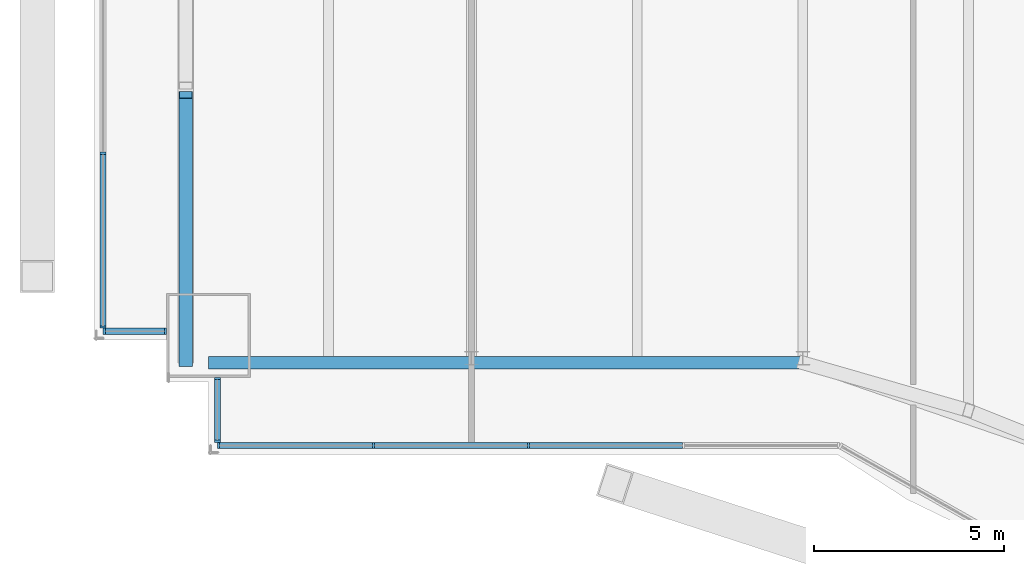
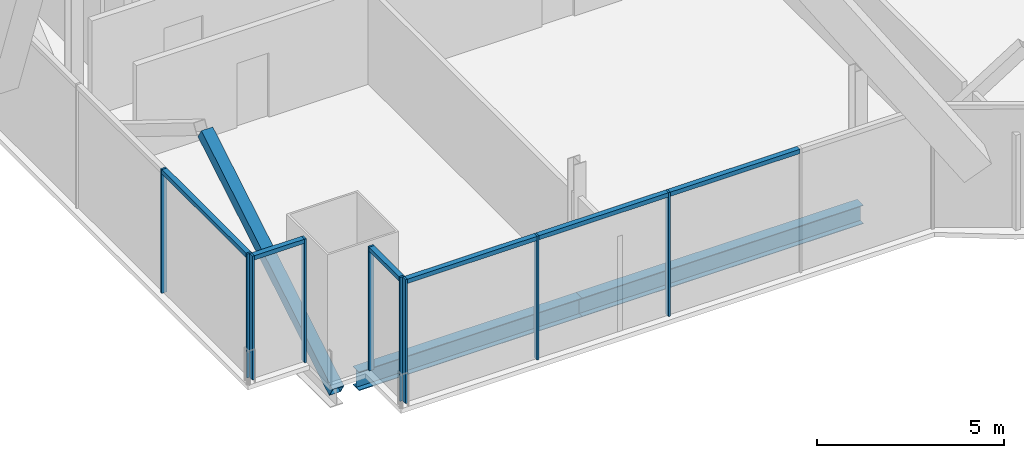
# One storey, part 5 of 23: 16 members, 2 beams, 4 elements without a shape of their own.
"""IFC4 building model written with IfcOpenShell, lengths in metres."""

from ifc_helpers import new_model, si_unit, direction, frame, origin, origin_2d, place, context, subcontext, project, spatial, rectangle, hollow_rectangle, i_section, extrude, material, material_profile, profile_set, type_object, element, aggregate, save


model = new_model("IFC4")

# Units and contexts
model_context = context("Model", 3, precision=1e-05, world=origin(), true_north=direction((0.0, 1.0)))
body_context = subcontext(model_context, "Body", "Model", "MODEL_VIEW")
ifc_project = project(units=[si_unit("LENGTHUNIT", "METRE"), si_unit("AREAUNIT", "SQUARE_METRE"), si_unit("VOLUMEUNIT", "CUBIC_METRE"), si_unit("PLANEANGLEUNIT", "RADIAN"), si_unit("MASSUNIT", "GRAM", prefix="KILO")], contexts=[model_context])

# Site, building, storey
site_placement = place(None, origin())
site = spatial("IfcSite", under=ifc_project, at=site_placement, CompositionType="ELEMENT")
building_placement = place(site_placement, origin())
building = spatial("IfcBuilding", under=site, at=building_placement, Name="Bicima Exchange Tower", CompositionType="ELEMENT")
storey_placement = place(building_placement, frame((0.0, 0.0, 262.39990234375)))
storey = spatial("IfcBuildingStorey", under=building, at=storey_placement, Name="L59", CompositionType="ELEMENT", Elevation=262.39990234375)

# Curtain wall, members
ifc_material_1 = material(Name="Anodised bronze aluminium", Category="aluminium")
curtain_wall_type_1 = type_object("IfcCurtainWallType", Name="End face glass wall", PredefinedType="NOTDEFINED", material=ifc_material_1)
curtain_wall_1_placement = place(storey_placement, origin())
curtain_wall_1 = element("IfcCurtainWall", 1, at=curtain_wall_1_placement, inside=storey, type_object=curtain_wall_type_1, Name="End face glass wall L59 run 2", PredefinedType="NOTDEFINED")
ifc_material_profile_1 = material_profile(ifc_material_1, rectangle(XDim=0.159912109375, YDim=0.06005859375, at=origin_2d()))
ifc_profile_set_1 = profile_set([ifc_material_profile_1], Name="Anodised bronze aluminium")
member_type_1 = type_object("IfcMemberType", Name="End face glass wall mullion 60 x 160", PredefinedType="MULLION", material=ifc_profile_set_1)
member_1_placement = place(storey_placement, frame((-35.77001953125, -21.162109375, 0.0), z_axis=(0.0, 0.0, 1.0), x_axis=(1.0, 0.0, 0.0)))
member_1 = element("IfcMember", 2, at=member_1_placement, type_object=member_type_1, Name="End face glass wall mullion 3", PredefinedType="MULLION", context=body_context, shape_type="SweptSolid", body=[
    extrude(rectangle(XDim=0.159912109375, YDim=0.06005859375, at=origin_2d()), origin(), (0.0, 0.0, 1.0), 4.050048828125),
])
member_2_placement = place(storey_placement, frame((-35.77001953125, -25.72802734375, 0.0), z_axis=(0.0, 0.0, 1.0), x_axis=(1.0, 0.0, 0.0)))
member_2 = element("IfcMember", 3, at=member_2_placement, type_object=member_type_1, Name="End face glass wall mullion 4", PredefinedType="MULLION", context=body_context, shape_type="SweptSolid", body=[
    extrude(rectangle(XDim=0.159912109375, YDim=0.06005859375, at=origin_2d()), origin(), (0.0, 0.0, 1.0), 4.050048828125),
])
ifc_material_profile_2 = material_profile(ifc_material_1, rectangle(XDim=0.159912109375, YDim=0.139892578125, at=origin_2d()))
ifc_profile_set_2 = profile_set([ifc_material_profile_2], Name="Anodised bronze aluminium")
member_type_2 = type_object("IfcMemberType", Name="End face glass wall transom 140 x 160", PredefinedType="USERDEFINED", material=ifc_profile_set_2)
member_3_placement = place(storey_placement, frame((-35.77001953125, -21.19189453125, 3.97998046875), z_axis=(0.0, -1.0, 0.0), x_axis=(1.0, 0.0, 0.0)))
member_3 = element("IfcMember", 4, at=member_3_placement, type_object=member_type_2, Name="End face glass wall transom 3.1", ObjectType="TRANSOM", PredefinedType="USERDEFINED", context=body_context, shape_type="SweptSolid", body=[
    extrude(rectangle(XDim=0.159912109375, YDim=0.139892578125, at=origin_2d()), origin(), (0.0, 0.0, 1.0), 4.506103515625),
])
aggregate(curtain_wall_1, [member_1, member_2, member_3])

# Beams
ifc_material_2 = material(Name="Steel ASTM A992 Gr 50", Category="steel")
ifc_material_profile_3 = material_profile(ifc_material_2, i_section(OverallWidth=0.3251953125, OverallDepth=0.612060546875, WebThickness=0.0126953125, FlangeThickness=0.01904296875, at=origin_2d()))
ifc_profile_set_3 = profile_set([ifc_material_profile_3], Name="Steel ASTM A992 Gr 50")
beam_type = type_object("IfcBeamType", Name="Front girder W24x104", PredefinedType="BEAM", material=ifc_profile_set_3)
beam_1_placement = place(storey_placement, frame((-33.0, -26.66796875, -0.4560546875), z_axis=(1.0, 0.0, 0.0), x_axis=(0.0, 1.0, 0.0)))
element("IfcBeam", 5, at=beam_1_placement, inside=storey, type_object=beam_type, Name="Front girder", PredefinedType="BEAM", context=body_context, shape_type="SweptSolid", body=[
    extrude(i_section(OverallWidth=0.3251953125, OverallDepth=0.612060546875, WebThickness=0.0126953125, FlangeThickness=0.01904296875, at=origin_2d()), origin(), (0.0, 0.0, 1.0), 6.89990234375),
])
beam_2_placement = place(storey_placement, frame((-26.10009765625, -26.66796875, -0.4560546875), z_axis=(1.0, 0.0, 0.0), x_axis=(0.0, 1.0, 0.0)))
element("IfcBeam", 6, at=beam_2_placement, inside=storey, type_object=beam_type, Name="Front girder", PredefinedType="BEAM", context=body_context, shape_type="SweptSolid", body=[
    extrude(i_section(OverallWidth=0.3251953125, OverallDepth=0.612060546875, WebThickness=0.0126953125, FlangeThickness=0.01904296875, at=origin_2d()), origin(), (0.0, 0.0, 1.0), 8.7001953125),
])

# Curtain wall, members
curtain_wall_type_2 = type_object("IfcCurtainWallType", Name="Front glass wall", PredefinedType="NOTDEFINED", material=ifc_material_1)
curtain_wall_2_placement = place(storey_placement, origin())
curtain_wall_2 = element("IfcCurtainWall", 7, at=curtain_wall_2_placement, inside=storey, type_object=curtain_wall_type_2, Name="Front glass wall L59 run 3", PredefinedType="NOTDEFINED")
member_type_3 = type_object("IfcMemberType", Name="Front glass wall mullion 60 x 160", PredefinedType="MULLION", material=ifc_profile_set_1)
member_4_placement = place(storey_placement, frame((-35.739990234375, -25.837890625, 0.0), z_axis=(0.0, 0.0, 1.0), x_axis=(0.0, 1.0, 0.0)))
member_4 = element("IfcMember", 8, at=member_4_placement, type_object=member_type_3, Name="Front glass wall mullion 1", PredefinedType="MULLION", context=body_context, shape_type="SweptSolid", body=[
    extrude(rectangle(XDim=0.159912109375, YDim=0.06005859375, at=origin_2d()), origin(), (0.0, 0.0, 1.0), 4.050048828125),
])
member_5_placement = place(storey_placement, frame((-34.1298828125, -25.837890625, 0.0), z_axis=(0.0, 0.0, 1.0), x_axis=(0.0, 1.0, 0.0)))
member_5 = element("IfcMember", 9, at=member_5_placement, type_object=member_type_3, Name="Front glass wall mullion 2", PredefinedType="MULLION", context=body_context, shape_type="SweptSolid", body=[
    extrude(rectangle(XDim=0.159912109375, YDim=0.06005859375, at=origin_2d()), origin(), (0.0, 0.0, 1.0), 4.050048828125),
])

curtain_wall_3_placement = place(storey_placement, origin())
curtain_wall_3 = element("IfcCurtainWall", 10, at=curtain_wall_3_placement, inside=storey, type_object=curtain_wall_type_2, Name="Front glass wall L59 run 4", PredefinedType="NOTDEFINED")
member_6_placement = place(storey_placement, frame((-32.77001953125, -27.075927734375, 0.0), z_axis=(0.0, 0.0, 1.0), x_axis=(1.0, 0.0, 0.0)))
member_6 = element("IfcMember", 11, at=member_6_placement, type_object=member_type_3, Name="Front glass wall mullion 1", PredefinedType="MULLION", context=body_context, shape_type="SweptSolid", body=[
    extrude(rectangle(XDim=0.159912109375, YDim=0.06005859375, at=origin_2d()), origin(), (0.0, 0.0, 1.0), 4.050048828125),
])
member_7_placement = place(storey_placement, frame((-32.77001953125, -28.72802734375, 0.0), z_axis=(0.0, 0.0, 1.0), x_axis=(1.0, 0.0, 0.0)))
member_7 = element("IfcMember", 12, at=member_7_placement, type_object=member_type_3, Name="Front glass wall mullion 2", PredefinedType="MULLION", context=body_context, shape_type="SweptSolid", body=[
    extrude(rectangle(XDim=0.159912109375, YDim=0.06005859375, at=origin_2d()), origin(), (0.0, 0.0, 1.0), 4.050048828125),
])

curtain_wall_4_placement = place(storey_placement, origin())
curtain_wall_4 = element("IfcCurtainWall", 13, at=curtain_wall_4_placement, inside=storey, type_object=curtain_wall_type_2, Name="Front glass wall L59 run 5", PredefinedType="NOTDEFINED")
member_8_placement = place(storey_placement, frame((-32.739990234375, -28.837890625, 0.0), z_axis=(0.0, 0.0, 1.0), x_axis=(0.0, 1.0, 0.0)))
member_8 = element("IfcMember", 14, at=member_8_placement, type_object=member_type_3, Name="Front glass wall mullion 1", PredefinedType="MULLION", context=body_context, shape_type="SweptSolid", body=[
    extrude(rectangle(XDim=0.159912109375, YDim=0.06005859375, at=origin_2d()), origin(), (0.0, 0.0, 1.0), 4.050048828125),
])
member_9_placement = place(storey_placement, frame((-28.67041015625, -28.837890625, 0.0), z_axis=(0.0, 0.0, 1.0), x_axis=(0.0, 1.0, 0.0)))
member_9 = element("IfcMember", 15, at=member_9_placement, type_object=member_type_3, Name="Front glass wall mullion 2", PredefinedType="MULLION", context=body_context, shape_type="SweptSolid", body=[
    extrude(rectangle(XDim=0.159912109375, YDim=0.06005859375, at=origin_2d()), origin(), (0.0, 0.0, 1.0), 4.050048828125),
])
member_10_placement = place(storey_placement, frame((-24.60107421875, -28.837890625, 0.0), z_axis=(0.0, 0.0, 1.0), x_axis=(0.0, 1.0, 0.0)))
member_10 = element("IfcMember", 16, at=member_10_placement, type_object=member_type_3, Name="Front glass wall mullion 3", PredefinedType="MULLION", context=body_context, shape_type="SweptSolid", body=[
    extrude(rectangle(XDim=0.159912109375, YDim=0.06005859375, at=origin_2d()), origin(), (0.0, 0.0, 1.0), 4.050048828125),
])

# Member
member_type_4 = type_object("IfcMemberType", Name="Front glass wall transom 140 x 160", PredefinedType="USERDEFINED", material=ifc_profile_set_2)
member_11_placement = place(storey_placement, frame((-35.7099609375, -25.837890625, 3.97998046875), z_axis=(1.0, 0.0, 0.0), x_axis=(0.0, 1.0, 0.0)))
member_11 = element("IfcMember", 17, at=member_11_placement, type_object=member_type_4, Name="Front glass wall transom 1.1", ObjectType="TRANSOM", PredefinedType="USERDEFINED", context=body_context, shape_type="SweptSolid", body=[
    extrude(rectangle(XDim=0.159912109375, YDim=0.139892578125, at=origin_2d()), origin(), (0.0, 0.0, 1.0), 1.550048828125),
])

aggregate(curtain_wall_2, [member_4, member_5, member_11])

member_12_placement = place(storey_placement, frame((-32.77001953125, -27.10595703125, 3.97998046875), z_axis=(0.0, -1.0, 0.0), x_axis=(1.0, 0.0, 0.0)))
member_12 = element("IfcMember", 18, at=member_12_placement, type_object=member_type_4, Name="Front glass wall transom 1.1", ObjectType="TRANSOM", PredefinedType="USERDEFINED", context=body_context, shape_type="SweptSolid", body=[
    extrude(rectangle(XDim=0.159912109375, YDim=0.139892578125, at=origin_2d()), origin(), (0.0, 0.0, 1.0), 1.592041015625),
])

aggregate(curtain_wall_3, [member_6, member_7, member_12])

member_13_placement = place(storey_placement, frame((-32.7099609375, -28.837890625, 3.97998046875), z_axis=(1.0, 0.0, 0.0), x_axis=(0.0, 1.0, 0.0)))
member_13 = element("IfcMember", 19, at=member_13_placement, type_object=member_type_4, Name="Front glass wall transom 1.1", ObjectType="TRANSOM", PredefinedType="USERDEFINED", context=body_context, shape_type="SweptSolid", body=[
    extrude(rectangle(XDim=0.159912109375, YDim=0.139892578125, at=origin_2d()), origin(), (0.0, 0.0, 1.0), 4.009521484375),
])

member_14_placement = place(storey_placement, frame((-28.640380859375, -28.837890625, 3.97998046875), z_axis=(1.0, 0.0, 0.0), x_axis=(0.0, 1.0, 0.0)))
member_14 = element("IfcMember", 20, at=member_14_placement, type_object=member_type_4, Name="Front glass wall transom 2.1", ObjectType="TRANSOM", PredefinedType="USERDEFINED", context=body_context, shape_type="SweptSolid", body=[
    extrude(rectangle(XDim=0.159912109375, YDim=0.139892578125, at=origin_2d()), origin(), (0.0, 0.0, 1.0), 4.00927734375),
])

member_15_placement = place(storey_placement, frame((-24.571044921875, -28.837890625, 3.97998046875), z_axis=(1.0, 0.0, 0.0), x_axis=(0.0, 1.0, 0.0)))
member_15 = element("IfcMember", 21, at=member_15_placement, type_object=member_type_4, Name="Front glass wall transom 3.1", ObjectType="TRANSOM", PredefinedType="USERDEFINED", context=body_context, shape_type="SweptSolid", body=[
    extrude(rectangle(XDim=0.159912109375, YDim=0.139892578125, at=origin_2d()), origin(), (0.0, 0.0, 1.0), 4.009521484375),
])

aggregate(curtain_wall_4, [member_8, member_9, member_10, member_13, member_14, member_15])

ifc_material_3 = material(Name="Steel ASTM A572 Gr 50", Category="steel")
ifc_material_profile_4 = material_profile(ifc_material_3, hollow_rectangle(XDim=0.355712890625, YDim=0.355712890625, WallThickness=0.0146484375, at=origin_2d()))
ifc_profile_set_4 = profile_set([ifc_material_profile_4], Name="Steel ASTM A572 Gr 50")
member_type_5 = type_object("IfcMemberType", Name="Mega brace HSS14x14x5/8", PredefinedType="BRACE", material=ifc_profile_set_4)
member_16_placement = place(storey_placement, frame((-33.60009765625, -26.66796875, -0.645263671875), z_axis=(0.0, 0.858590091642, 0.512662710302), x_axis=(-1.0, 0.0, 0.0)))
element("IfcMember", 22, at=member_16_placement, inside=storey, type_object=member_type_5, Name="Mega brace west end", PredefinedType="BRACE", context=body_context, shape_type="SweptSolid", body=[
    extrude(hollow_rectangle(XDim=0.355712890625, YDim=0.355712890625, WallThickness=0.0146484375, at=origin_2d()), origin(), (0.0, 0.0, 1.0), 8.1923828125),
])

save(model, "model.ifc")
